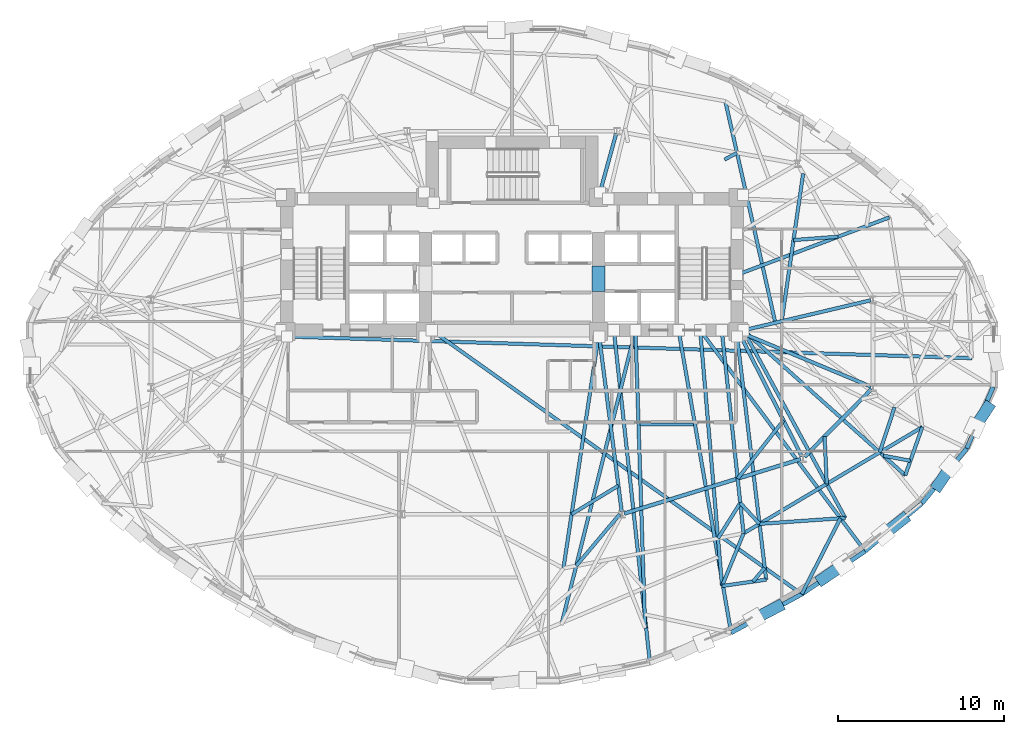
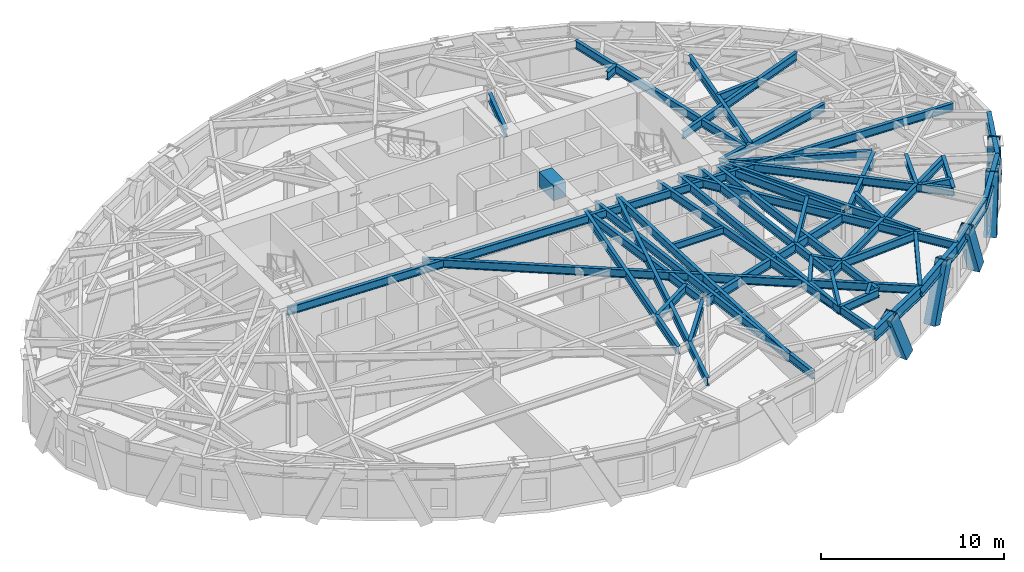
# One storey, part 3 of 14: 47 beams, 5 members.
"""IFC4 building model written with IfcOpenShell, lengths in metres."""

import ifcopenshell
import ifcopenshell.guid

model = None  # the IFC model being written
_history = None  # IfcOwnerHistory: only IFC2X3 demands one
_inside = {}  # id of a spatial element -> (the spatial element, [elements in it])
_under = {}  # id of a project, library or spatial element -> (it, [spatial elements below it])
_declared = {}  # id of a project -> (the project, [libraries it declares])
_typed = {}  # id of a type object -> (the type object, [elements of that type])
_made_of = {}  # id of a material, layer set ... -> (it, [elements and type objects made of it])


def new_model(schema):
    """Start an empty IFC model of exactly this schema.

    Asked for "IFC4X3", IfcOpenShell would pick the latest addendum, in which some entities
    have other attributes; the version numbers below select the first issue.
    IFC2X3 requires an IfcOwnerHistory on every rooted entity: one is made here for all.
    """
    global model, _history
    if schema == "IFC4X3":
        model = ifcopenshell.file(schema_version=(4, 3, 0, 0))
    else:
        model = ifcopenshell.file(schema=schema)
    _inside.clear()
    _under.clear()
    _declared.clear()
    _typed.clear()
    _made_of.clear()
    _history = None
    if model.schema == "IFC2X3":
        org = make("IfcOrganization", Name="unknown")
        user = make(
            "IfcPersonAndOrganization",
            ThePerson=make("IfcPerson", FamilyName="unknown"),
            TheOrganization=org,
        )
        app = make(
            "IfcApplication",
            ApplicationDeveloper=org,
            Version="unknown",
            ApplicationFullName="unknown",
            ApplicationIdentifier="unknown",
        )
        _history = make(
            "IfcOwnerHistory",
            OwningUser=user,
            OwningApplication=app,
            ChangeAction="ADDED",
            CreationDate=0,
        )
    return model


def make(cls, **values):
    """One entity of the class cls with the attributes given. An attribute that is None is left unset."""
    return model.create_entity(
        cls, **{name: value for name, value in values.items() if value is not None}
    )


def rooted(cls, **values):
    """An entity with a GlobalId (a new one), such as an element, a storey or a relation."""
    return make(cls, GlobalId=ifcopenshell.guid.new(), OwnerHistory=_history, **values)


def si_unit(unit_type, name, prefix=None):
    """IfcSIUnit, for example si_unit("LENGTHUNIT", "METRE", prefix="MILLI")."""
    return make("IfcSIUnit", UnitType=unit_type, Prefix=prefix, Name=name)


def assignment(units):
    """IfcUnitAssignment: the units of a project."""
    return None if units is None else make("IfcUnitAssignment", Units=units)


def point(xyz):
    """IfcCartesianPoint."""
    return None if xyz is None else make("IfcCartesianPoint", Coordinates=xyz)


def direction(xyz):
    """IfcDirection."""
    return None if xyz is None else make("IfcDirection", DirectionRatios=xyz)


def frame(location, z_axis=None, x_axis=None):
    """IfcAxis2Placement3D, a coordinate frame: its origin and axes. An axis left out is left unset."""
    return make(
        "IfcAxis2Placement3D",
        Location=point(location),
        Axis=direction(z_axis),
        RefDirection=direction(x_axis),
    )


def frame_2d(location, x_axis=None):
    """IfcAxis2Placement2D, a coordinate frame in the plane: its origin and x axis."""
    return make(
        "IfcAxis2Placement2D", Location=point(location), RefDirection=direction(x_axis)
    )


def origin():
    """The frame at (0, 0, 0) with its axes left unset."""
    return frame((0.0, 0.0, 0.0))


def origin_2d():
    """The frame at (0, 0) in the plane with its x axis left unset."""
    return frame_2d((0.0, 0.0))


def place(relative_to, where):
    """IfcLocalPlacement: puts the frame where relative to a parent placement (None: the world)."""
    return make(
        "IfcLocalPlacement", PlacementRelTo=relative_to, RelativePlacement=where
    )


def context(
    kind, dimensions, precision=None, world=None, true_north=None, identifier=None
):
    """IfcGeometricRepresentationContext, for example the 3D "Model" context."""
    return make(
        "IfcGeometricRepresentationContext",
        ContextIdentifier=identifier,
        ContextType=kind,
        CoordinateSpaceDimension=dimensions,
        Precision=precision,
        WorldCoordinateSystem=world,
        TrueNorth=true_north,
    )


def subcontext(parent, identifier, kind, view, scale=None):
    """IfcGeometricRepresentationSubContext, for example "Body" below "Model"."""
    return make(
        "IfcGeometricRepresentationSubContext",
        ContextIdentifier=identifier,
        ContextType=kind,
        ParentContext=parent,
        TargetScale=scale,
        TargetView=view,
    )


def project(units=None, contexts=None):
    """IfcProject with its units and contexts."""
    return rooted(
        "IfcProject",
        Name="project",
        RepresentationContexts=contexts,
        UnitsInContext=assignment(units),
    )


def spatial(cls, under=None, at=None, **own):
    """A site, building, storey or space (cls), placed at a placement, below another one or the project."""
    s = rooted(cls, ObjectPlacement=at, **own)
    if under is not None:
        _under.setdefault(under.id(), (under, []))[1].append(s)
    return s


def profile(cls, at=None, kind="AREA", **sizes):
    """A parametric profile (cls). Its sizes go by their IFC names, for example OverallWidth=200.0."""
    return make(cls, ProfileType=kind, Position=at, **sizes)


def rectangle(**sizes):
    """IfcRectangleProfileDef."""
    return profile("IfcRectangleProfileDef", **sizes)


def hollow_rectangle(**sizes):
    """IfcRectangleHollowProfileDef."""
    return profile("IfcRectangleHollowProfileDef", **sizes)


def i_section(**sizes):
    """IfcIShapeProfileDef."""
    return profile("IfcIShapeProfileDef", **sizes)


def extrude(swept, where, along, depth):
    """IfcExtrudedAreaSolid: the profile swept, set in the frame where, extruded along a direction by depth."""
    return make(
        "IfcExtrudedAreaSolid",
        SweptArea=swept,
        Position=where,
        ExtrudedDirection=direction(along),
        Depth=depth,
    )


def shape(context_of_items, identifier, shape_type, items):
    """IfcShapeRepresentation: the items that make up one representation, for example the "Body"."""
    return make(
        "IfcShapeRepresentation",
        ContextOfItems=context_of_items,
        RepresentationIdentifier=identifier,
        RepresentationType=shape_type,
        Items=items,
    )


def material(Name=None, Category=None):
    """IfcMaterial."""
    return make("IfcMaterial", Name=Name, Category=Category)


def material_profile(
    of_material, cross_section, Name=None, Category=None, Priority=None
):
    """IfcMaterialProfile: a cross section and its material."""
    return make(
        "IfcMaterialProfile",
        Name=Name,
        Material=of_material,
        Profile=cross_section,
        Priority=Priority,
        Category=Category,
    )


def profile_set(profiles, Name=None, composite=None):
    """IfcMaterialProfileSet."""
    return make(
        "IfcMaterialProfileSet",
        Name=Name,
        MaterialProfiles=profiles,
        CompositeProfile=composite,
    )


def made_of(thing, what):
    """Note that an element or type object is made of a material, layer set ...; save() writes the relation."""
    if what is not None:
        _made_of.setdefault(what.id(), (what, []))[1].append(thing)
    return thing


def type_object(cls, material=None, **own):
    """A type object (cls), such as IfcWallType, which elements share."""
    return made_of(rooted(cls, **own), material)


def element(
    cls,
    number,
    at=None,
    inside=None,
    cuts=None,
    type_object=None,
    material=None,
    context=None,
    identifier="Body",
    shape_type=None,
    held_by="IfcProductDefinitionShape",
    body=None,
    shapes=None,
    **own,
):
    """One element of the class cls, such as IfcWall. Its Tag is "e" and its number.

    at: its placement. inside: the storey or other place that contains it. cuts: it is an
    opening in that element (IfcRelVoidsElement). A single representation is given by context,
    identifier, shape_type and body (its items); several are given by shapes. held_by: the class
    of the entity that holds the representations. save() writes the other relations.
    """
    e = rooted(cls, Tag="e%d" % number, ObjectPlacement=at, **own)
    if body is not None:
        shapes = [shape(context, identifier, shape_type, body)]
    if shapes is not None:
        e.Representation = make(held_by, Representations=shapes)
    if inside is not None:
        _inside.setdefault(inside.id(), (inside, []))[1].append(e)
    if cuts is not None:
        rooted(
            "IfcRelVoidsElement", RelatingBuildingElement=cuts, RelatedOpeningElement=e
        )
    if type_object is not None:
        _typed.setdefault(type_object.id(), (type_object, []))[1].append(e)
    return made_of(e, material)


def aggregate(whole, parts):
    """IfcRelAggregates: a whole, such as a stair, and the parts it consists of."""
    return rooted("IfcRelAggregates", RelatingObject=whole, RelatedObjects=parts)


def save(model, path):
    """Write the relations noted so far, then the file.

    IfcRelAggregates (storeys below a building ...), IfcRelContainedInSpatialStructure (elements
    in a storey), IfcRelDefinesByType, IfcRelAssociatesMaterial and IfcRelDeclares: one each for
    every whole, place, type object, material and project.
    """
    for whole, parts in _under.values():
        aggregate(whole, parts)
    for where, things in _inside.values():
        rooted(
            "IfcRelContainedInSpatialStructure",
            RelatedElements=things,
            RelatingStructure=where,
        )
    for kind, things in _typed.values():
        rooted("IfcRelDefinesByType", RelatedObjects=things, RelatingType=kind)
    for what, things in _made_of.values():
        rooted("IfcRelAssociatesMaterial", RelatedObjects=things, RelatingMaterial=what)
    for by, libraries in _declared.values():
        rooted("IfcRelDeclares", RelatingContext=by, RelatedDefinitions=libraries)
    model.write(path)


model = new_model("IFC4")

# Units and contexts
model_context = context("Model", 3, precision=1e-05, world=origin(), true_north=direction((0.0, 1.0)))
body_context = subcontext(model_context, "Body", "Model", "MODEL_VIEW")
ifc_project = project(units=[si_unit("LENGTHUNIT", "METRE"), si_unit("AREAUNIT", "SQUARE_METRE"), si_unit("VOLUMEUNIT", "CUBIC_METRE"), si_unit("PLANEANGLEUNIT", "RADIAN"), si_unit("MASSUNIT", "GRAM", prefix="KILO")], contexts=[model_context])

# Site, building, storey
site_placement = place(None, origin())
site = spatial("IfcSite", under=ifc_project, at=site_placement, CompositionType="ELEMENT")
building_placement = place(site_placement, origin())
building = spatial("IfcBuilding", under=site, at=building_placement, Name="Keldmark Tower", CompositionType="ELEMENT")
storey_placement = place(building_placement, frame((0.0, 0.0, 86.10009765625)))
storey = spatial("IfcBuildingStorey", under=building, at=storey_placement, Name="L22", CompositionType="ELEMENT", Elevation=86.10009765625)

# Beams
ifc_material_1 = material(Name="Steel ASTM A992 Grade 50", Category="steel")
ifc_material_profile_1 = material_profile(ifc_material_1, i_section(OverallWidth=0.19091796875, OverallDepth=0.45703125, WebThickness=0.009033203125, FlangeThickness=0.014404296875, at=origin_2d()), Name="W18X50")
ifc_profile_set_1 = profile_set([ifc_material_profile_1], Name="Steel ASTM A992 Grade 50")
beam_type_1 = type_object("IfcBeamType", Name="Composite Floor Joist W18X50", PredefinedType="JOIST", material=ifc_profile_set_1)
beam_1_placement = place(storey_placement, frame((7.697998046875, -4.179931640625, 3.081298828125), z_axis=(1.0, 0.0, 0.0), x_axis=(0.0, 1.0, 0.0)))
element("IfcBeam", 1, at=beam_1_placement, inside=storey, type_object=beam_type_1, Name="L22 Composite Floor Joist J05", PredefinedType="JOIST", context=body_context, shape_type="SweptSolid", body=[
    extrude(i_section(OverallWidth=0.19091796875, OverallDepth=0.45703125, WebThickness=0.009033203125, FlangeThickness=0.014404296875, at=origin_2d()), origin(), (0.0, 0.0, 1.0), 3.197509765625),
])
ifc_material_2 = material(Name="Concrete C70/85", Category="concrete")
ifc_material_profile_2 = material_profile(ifc_material_2, rectangle(XDim=0.800048828125, YDim=1.0, at=origin_2d()), Name="RCB800X1000")
ifc_profile_set_2 = profile_set([ifc_material_profile_2], Name="Concrete C70/85")
beam_type_2 = type_object("IfcBeamType", Name="Core Coupling Beam RCB800X1000", PredefinedType="USERDEFINED", material=ifc_profile_set_2)
beam_2_placement = place(storey_placement, frame((5.199951171875, 3.800048828125, 2.809814453125), z_axis=(0.0, 1.0, 0.0), x_axis=(-1.0, 0.0, 0.0)))
element("IfcBeam", 2, at=beam_2_placement, inside=storey, type_object=beam_type_2, Name="L22 East Core Coupling Beam", ObjectType="COUPLING BEAM", PredefinedType="USERDEFINED", context=body_context, shape_type="SweptSolid", body=[
    extrude(rectangle(XDim=0.800048828125, YDim=1.0, at=origin_2d()), origin(), (0.0, 0.0, 1.0), 1.550048828125),
])

# Members
ifc_material_3 = material(Name="Steel ASTM A572 Grade 50", Category="steel")
ifc_material_profile_3 = material_profile(ifc_material_3, hollow_rectangle(XDim=0.699951171875, YDim=0.699951171875, WallThickness=0.054931640625, at=origin_2d()), Name="BOX700X700X55")
ifc_profile_set_3 = profile_set([ifc_material_profile_3], Name="Steel ASTM A572 Grade 50")
member_type = type_object("IfcMemberType", Name="Diagrid Zone 1 Brace BOX700X700X55", PredefinedType="BRACE", material=ifc_profile_set_3)
member_1_placement = place(storey_placement, frame((15.98583984375, -15.12109375, -0.27001953125), z_axis=(-0.375086533745, -0.19668392371, 0.905883837121), x_axis=(0.464396078471, -0.885627620561, 0.0)))
element("IfcMember", 3, at=member_1_placement, inside=storey, type_object=member_type, Name="L22 Perimeter Diagrid Brace 14A", PredefinedType="BRACE", context=body_context, shape_type="SweptSolid", body=[
    extrude(hollow_rectangle(XDim=0.699951171875, YDim=0.699951171875, WallThickness=0.054931640625, at=origin_2d()), origin(), (0.0, 0.0, 1.0), 3.8193359375),
])
member_2_placement = place(storey_placement, frame((18.644775390625, -13.476806640625, -0.27001953125), z_axis=(0.33379253059, 0.228078654893, 0.914638001454), x_axis=(-0.564168739823, 0.825659513968, 0.0)))
element("IfcMember", 4, at=member_2_placement, inside=storey, type_object=member_type, Name="L22 Perimeter Diagrid Brace 14B", PredefinedType="BRACE", context=body_context, shape_type="SweptSolid", body=[
    extrude(hollow_rectangle(XDim=0.699951171875, YDim=0.699951171875, WallThickness=0.054931640625, at=origin_2d()), origin(), (0.0, 0.0, 1.0), 3.782958984375),
])
member_3_placement = place(storey_placement, frame((23.507080078125, -9.8671875, -0.27001953125), z_axis=(-0.317322312779, -0.247889891399, 0.915345372827), x_axis=(0.615616027477, -0.788046259248, 0.0)))
element("IfcMember", 5, at=member_3_placement, inside=storey, type_object=member_type, Name="L22 Perimeter Diagrid Brace 15A", PredefinedType="BRACE", context=body_context, shape_type="SweptSolid", body=[
    extrude(hollow_rectangle(XDim=0.699951171875, YDim=0.699951171875, WallThickness=0.054931640625, at=origin_2d()), origin(), (0.0, 0.0, 1.0), 3.780029296875),
])
member_4_placement = place(storey_placement, frame((25.6044921875, -7.829345703125, -0.27001953125), z_axis=(0.207872561908, 0.305185773855, 0.929328059106), x_axis=(-0.826490251962, 0.562951031096, 0.0)))
element("IfcMember", 6, at=member_4_placement, inside=storey, type_object=member_type, Name="L22 Perimeter Diagrid Brace 15B", PredefinedType="BRACE", context=body_context, shape_type="SweptSolid", body=[
    extrude(hollow_rectangle(XDim=0.699951171875, YDim=0.699951171875, WallThickness=0.054931640625, at=origin_2d()), origin(), (0.0, 0.0, 1.0), 3.72314453125),
])
member_5_placement = place(storey_placement, frame((28.591552734375, -3.16943359375, -0.27001953125), z_axis=(-0.211574579033, -0.320944566162, 0.923163464917), x_axis=(0.834906882292, -0.550391222587, 0.0)))
element("IfcMember", 7, at=member_5_placement, inside=storey, type_object=member_type, Name="L22 Perimeter Diagrid Brace 16A", PredefinedType="BRACE", context=body_context, shape_type="SweptSolid", body=[
    extrude(hollow_rectangle(XDim=0.699951171875, YDim=0.699951171875, WallThickness=0.054931640625, at=origin_2d()), origin(), (0.0, 0.0, 1.0), 3.748046875),
])

# Beams
ifc_material_4 = material(Name="Steel ASTM A992 Grade 50", Category="steel")
ifc_material_profile_4 = material_profile(ifc_material_4, i_section(OverallWidth=0.22900390625, OverallDepth=0.612060546875, WebThickness=0.011962890625, FlangeThickness=0.01953125, at=origin_2d()), Name="W24X84")
ifc_profile_set_4 = profile_set([ifc_material_profile_4], Name="Steel ASTM A992 Grade 50")
beam_type_3 = type_object("IfcBeamType", Name="Primary Floor Girder W24X84", PredefinedType="BEAM", material=ifc_profile_set_4)
beam_3_placement = place(storey_placement, frame((6.74658203125, -9.5380859375, 3.00390625), z_axis=(0.955607954968, 0.294641199432, 0.0), x_axis=(-0.294641199432, 0.955607954968, 0.0)))
element("IfcBeam", 8, at=beam_3_placement, inside=storey, type_object=beam_type_3, Name="L22 Floor Ring Girder FG-R10", PredefinedType="BEAM", context=body_context, shape_type="SweptSolid", body=[
    extrude(i_section(OverallWidth=0.22900390625, OverallDepth=0.612060546875, WebThickness=0.011962890625, FlangeThickness=0.01953125, at=origin_2d()), origin(), (0.0, 0.0, 1.0), 11.089111328125),
])
beam_4_placement = place(storey_placement, frame((17.57568359375, -6.130126953125, 3.00390625), z_axis=(0.703425791323, 0.71076870788, 0.0), x_axis=(-0.71076870788, 0.703425791323, 0.0)))
element("IfcBeam", 9, at=beam_4_placement, inside=storey, type_object=beam_type_3, Name="L22 Floor Ring Girder FG-R11", PredefinedType="BEAM", context=body_context, shape_type="SweptSolid", body=[
    extrude(i_section(OverallWidth=0.22900390625, OverallDepth=0.612060546875, WebThickness=0.011962890625, FlangeThickness=0.01953125, at=origin_2d()), origin(), (0.0, 0.0, 1.0), 5.71875),
])
ifc_material_5 = material(Name="Steel ASTM A992 Grade 50", Category="steel")
ifc_material_profile_5 = material_profile(ifc_material_5, i_section(OverallWidth=0.2099609375, OverallDepth=0.537109375, WebThickness=0.010986328125, FlangeThickness=0.017333984375, at=origin_2d()), Name="W21X68")
ifc_profile_set_5 = profile_set([ifc_material_profile_5], Name="Steel ASTM A992 Grade 50")
beam_type_4 = type_object("IfcBeamType", Name="Radial Tie Girder W21X68", PredefinedType="BEAM", material=ifc_profile_set_5)
beam_5_placement = place(storey_placement, frame((16.206298828125, 2.014892578125, 3.04150390625), z_axis=(0.14365864997, 0.989627299689, 0.0), x_axis=(-0.989627299689, 0.14365864997, 0.0)))
element("IfcBeam", 10, at=beam_5_placement, inside=storey, type_object=beam_type_4, Name="L22 Framing Pin Header PH-001", PredefinedType="BEAM", context=body_context, shape_type="SweptSolid", body=[
    extrude(i_section(OverallWidth=0.2099609375, OverallDepth=0.537109375, WebThickness=0.010986328125, FlangeThickness=0.017333984375, at=origin_2d()), origin(), (0.0, 0.0, 1.0), 8.96630859375),
])
beam_6_placement = place(storey_placement, frame((16.914794921875, 6.89501953125, 3.04150390625), z_axis=(0.997192706221, 0.074877945083, 0.0), x_axis=(-0.074877945083, 0.997192706221, 0.0)))
element("IfcBeam", 11, at=beam_6_placement, inside=storey, type_object=beam_type_4, Name="L22 Framing Pin Header PH-004", PredefinedType="BEAM", context=body_context, shape_type="SweptSolid", body=[
    extrude(i_section(OverallWidth=0.2099609375, OverallDepth=0.537109375, WebThickness=0.010986328125, FlangeThickness=0.017333984375, at=origin_2d()), origin(), (0.0, 0.0, 1.0), 2.68994140625),
])
beam_7_placement = place(storey_placement, frame((13.52490234375, 4.80712890625, 3.04150390625), z_axis=(0.935713911675, 0.352759798585, 0.0), x_axis=(-0.352759798585, 0.935713911675, 0.0)))
element("IfcBeam", 12, at=beam_7_placement, inside=storey, type_object=beam_type_4, Name="L22 Sub-Ring Step Girder STP2-M01", PredefinedType="BEAM", context=body_context, shape_type="SweptSolid", body=[
    extrude(i_section(OverallWidth=0.2099609375, OverallDepth=0.537109375, WebThickness=0.010986328125, FlangeThickness=0.017333984375, at=origin_2d()), origin(), (0.0, 0.0, 1.0), 9.7744140625),
])
beam_8_placement = place(storey_placement, frame((12.768798828125, 11.72998046875, 3.04150390625), z_axis=(0.880379121568, 0.474270600298, 0.0), x_axis=(-0.474270600298, 0.880379121568, 0.0)))
element("IfcBeam", 13, at=beam_8_placement, inside=storey, type_object=beam_type_4, Name="L22 Framing Pin Header PH-005", PredefinedType="BEAM", context=body_context, shape_type="SweptSolid", body=[
    extrude(i_section(OverallWidth=0.2099609375, OverallDepth=0.537109375, WebThickness=0.010986328125, FlangeThickness=0.017333984375, at=origin_2d()), origin(), (0.0, 0.0, 1.0), 0.8525390625),
])
beam_9_placement = place(storey_placement, frame((15.82373046875, 1.924560546875, 3.04150390625), z_axis=(-0.220174112178, 0.975460588813, 0.0), x_axis=(-0.975460588813, -0.220174112178, 0.0)))
element("IfcBeam", 14, at=beam_9_placement, inside=storey, type_object=beam_type_4, Name="L22 Sub-Ring Step Girder STP2-M02", PredefinedType="BEAM", context=body_context, shape_type="SweptSolid", body=[
    extrude(i_section(OverallWidth=0.2099609375, OverallDepth=0.537109375, WebThickness=0.010986328125, FlangeThickness=0.017333984375, at=origin_2d()), origin(), (0.0, 0.0, 1.0), 13.646728515625),
])
beam_10_placement = place(storey_placement, frame((6.391845703125, -7.862060546875, 3.04150390625), z_axis=(-0.853237844646, -0.52152198464, 0.0), x_axis=(0.52152198464, -0.853237844646, 0.0)))
element("IfcBeam", 15, at=beam_10_placement, inside=storey, type_object=beam_type_4, Name="L22 Framing Pin Header PH-007", PredefinedType="BEAM", context=body_context, shape_type="SweptSolid", body=[
    extrude(i_section(OverallWidth=0.2099609375, OverallDepth=0.537109375, WebThickness=0.010986328125, FlangeThickness=0.017333984375, at=origin_2d()), origin(), (0.0, 0.0, 1.0), 3.292724609375),
])
beam_11_placement = place(storey_placement, frame((5.199951171875, 1.10009765625, 3.04150390625), z_axis=(-0.149776632113, -0.988719859451, 0.0), x_axis=(0.988719859451, -0.149776632113, 0.0)))
element("IfcBeam", 16, at=beam_11_placement, inside=storey, type_object=beam_type_4, Name="L22 Sub-Ring Step Girder STP2-M10", PredefinedType="BEAM", context=body_context, shape_type="SweptSolid", body=[
    extrude(i_section(OverallWidth=0.2099609375, OverallDepth=0.537109375, WebThickness=0.010986328125, FlangeThickness=0.017333984375, at=origin_2d()), origin(), (0.0, 0.0, 1.0), 14.08837890625),
])
beam_12_placement = place(storey_placement, frame((16.313232421875, -3.93896484375, 3.04150390625), z_axis=(-0.618557445546, -0.785739579352, 0.0), x_axis=(0.785739579352, -0.618557445546, 0.0)))
element("IfcBeam", 17, at=beam_12_placement, inside=storey, type_object=beam_type_4, Name="L22 Framing Pin Header PH-008", PredefinedType="BEAM", context=body_context, shape_type="SweptSolid", body=[
    extrude(i_section(OverallWidth=0.2099609375, OverallDepth=0.537109375, WebThickness=0.010986328125, FlangeThickness=0.017333984375, at=origin_2d()), origin(), (0.0, 0.0, 1.0), 4.45263671875),
])
beam_13_placement = place(storey_placement, frame((12.603515625, 1.47509765625, 3.04150390625), z_axis=(0.106608267401, -0.99430109993, 0.0), x_axis=(0.99430109993, 0.106608267401, 0.0)))
element("IfcBeam", 18, at=beam_13_placement, inside=storey, type_object=beam_type_4, Name="L22 Sub-Ring Step Girder STP2-M11", PredefinedType="BEAM", context=body_context, shape_type="SweptSolid", body=[
    extrude(i_section(OverallWidth=0.2099609375, OverallDepth=0.537109375, WebThickness=0.010986328125, FlangeThickness=0.017333984375, at=origin_2d()), origin(), (0.0, 0.0, 1.0), 12.27490234375),
])
beam_14_placement = place(storey_placement, frame((13.912109375, -10.729736328125, 3.04150390625), z_axis=(0.859451461743, 0.511217355835, 0.0), x_axis=(-0.511217355835, 0.859451461743, 0.0)))
element("IfcBeam", 19, at=beam_14_placement, inside=storey, type_object=beam_type_4, Name="L22 Perimeter Collector Ring Beam CRG2-M11", PredefinedType="BEAM", context=body_context, shape_type="SweptSolid", body=[
    extrude(i_section(OverallWidth=0.2099609375, OverallDepth=0.537109375, WebThickness=0.010986328125, FlangeThickness=0.017333984375, at=origin_2d()), origin(), (0.0, 0.0, 1.0), 12.498779296875),
])
beam_15_placement = place(storey_placement, frame((6.472900390625, -9.579345703125, 3.04150390625), z_axis=(-0.644754487848, -0.764389724159, 0.0), x_axis=(0.764389724159, -0.644754487848, 0.0)))
element("IfcBeam", 20, at=beam_15_placement, inside=storey, type_object=beam_type_4, Name="L22 Framing Pin Header PH-029", PredefinedType="BEAM", context=body_context, shape_type="SweptSolid", body=[
    extrude(i_section(OverallWidth=0.2099609375, OverallDepth=0.537109375, WebThickness=0.010986328125, FlangeThickness=0.017333984375, at=origin_2d()), origin(), (0.0, 0.0, 1.0), 4.056884765625),
])
beam_16_placement = place(storey_placement, frame((7.41796875, 1.47509765625, 3.04150390625), z_axis=(-0.243955832489, -0.969786343374, 0.0), x_axis=(0.969786343374, -0.243955832489, 0.0)))
element("IfcBeam", 21, at=beam_16_placement, inside=storey, type_object=beam_type_4, Name="L22 Intermediate Radial Step Girder RT-25M", PredefinedType="BEAM", context=body_context, shape_type="SweptSolid", body=[
    extrude(i_section(OverallWidth=0.2099609375, OverallDepth=0.537109375, WebThickness=0.010986328125, FlangeThickness=0.017333984375, at=origin_2d()), origin(), (0.0, 0.0, 1.0), 18.23876953125),
])
beam_17_placement = place(storey_placement, frame((13.7158203125, -8.89892578125, 3.04150390625), z_axis=(-0.532249104401, -0.846587792769, 0.0), x_axis=(0.846587792769, -0.532249104401, 0.0)))
element("IfcBeam", 22, at=beam_17_placement, inside=storey, type_object=beam_type_4, Name="L22 Framing Pin Header PH-030", PredefinedType="BEAM", context=body_context, shape_type="SweptSolid", body=[
    extrude(i_section(OverallWidth=0.2099609375, OverallDepth=0.537109375, WebThickness=0.010986328125, FlangeThickness=0.017333984375, at=origin_2d()), origin(), (0.0, 0.0, 1.0), 2.51416015625),
])
beam_18_placement = place(storey_placement, frame((11.30712890625, 1.47509765625, 3.04150390625), z_axis=(0.085320775145, -0.996353534308, 0.0), x_axis=(0.996353534308, 0.085320775145, 0.0)))
element("IfcBeam", 23, at=beam_18_placement, inside=storey, type_object=beam_type_4, Name="L22 Intermediate Radial Step Girder RT-27M", PredefinedType="BEAM", context=body_context, shape_type="SweptSolid", body=[
    extrude(i_section(OverallWidth=0.2099609375, OverallDepth=0.537109375, WebThickness=0.010986328125, FlangeThickness=0.017333984375, at=origin_2d()), origin(), (0.0, 0.0, 1.0), 15.423095703125),
])
beam_19_placement = place(storey_placement, frame((13.912109375, -10.729736328125, 3.04150390625), z_axis=(-0.377496729738, -0.926010917342, 0.0), x_axis=(0.926010917342, -0.377496729738, 0.0)))
element("IfcBeam", 24, at=beam_19_placement, inside=storey, type_object=beam_type_4, Name="L22 Local Collector Chord RT-27C", PredefinedType="BEAM", context=body_context, shape_type="SweptSolid", body=[
    extrude(i_section(OverallWidth=0.2099609375, OverallDepth=0.537109375, WebThickness=0.010986328125, FlangeThickness=0.017333984375, at=origin_2d()), origin(), (0.0, 0.0, 1.0), 3.414794921875),
])
beam_20_placement = place(storey_placement, frame((10.0107421875, 1.47509765625, 3.04150390625), z_axis=(0.17113896689, -0.985246900027, 0.0), x_axis=(0.985246900027, 0.17113896689, 0.0)))
element("IfcBeam", 25, at=beam_20_placement, inside=storey, type_object=beam_type_4, Name="L22 Perimeter Radial Tie Girder RT-27", PredefinedType="BEAM", context=body_context, shape_type="SweptSolid", body=[
    extrude(i_section(OverallWidth=0.2099609375, OverallDepth=0.537109375, WebThickness=0.010986328125, FlangeThickness=0.017333984375, at=origin_2d()), origin(), (0.0, 0.0, 1.0), 18.445556640625),
])
beam_21_placement = place(storey_placement, frame((13.7158203125, -8.89892578125, 3.04150390625), z_axis=(0.675963832109, -0.736934798799, 0.0), x_axis=(0.736934798799, 0.675963832109, 0.0)))
element("IfcBeam", 26, at=beam_21_placement, inside=storey, type_object=beam_type_4, Name="L22 Framing Pin Header PH-031", PredefinedType="BEAM", context=body_context, shape_type="SweptSolid", body=[
    extrude(i_section(OverallWidth=0.2099609375, OverallDepth=0.537109375, WebThickness=0.010986328125, FlangeThickness=0.017333984375, at=origin_2d()), origin(), (0.0, 0.0, 1.0), 1.709716796875),
])
beam_22_placement = place(storey_placement, frame((13.52490234375, 1.10009765625, 3.04150390625), z_axis=(0.118765688375, -0.992922308776, 0.0), x_axis=(0.992922308776, 0.118765688375, 0.0)))
element("IfcBeam", 27, at=beam_22_placement, inside=storey, type_object=beam_type_4, Name="L22 Intermediate Radial Step Girder RT-28M", PredefinedType="BEAM", context=body_context, shape_type="SweptSolid", body=[
    extrude(i_section(OverallWidth=0.2099609375, OverallDepth=0.537109375, WebThickness=0.010986328125, FlangeThickness=0.017333984375, at=origin_2d()), origin(), (0.0, 0.0, 1.0), 14.71240234375),
])
beam_23_placement = place(storey_placement, frame((12.623046875, -13.891845703125, 3.04150390625), z_axis=(0.989668477823, 0.143374697921, 0.0), x_axis=(-0.143374697921, 0.989668477823, 0.0)))
element("IfcBeam", 28, at=beam_23_placement, inside=storey, type_object=beam_type_4, Name="L22 Local Collector Chord RT-28C", PredefinedType="BEAM", context=body_context, shape_type="SweptSolid", body=[
    extrude(i_section(OverallWidth=0.2099609375, OverallDepth=0.537109375, WebThickness=0.010986328125, FlangeThickness=0.017333984375, at=origin_2d()), origin(), (0.0, 0.0, 1.0), 2.6767578125),
])
beam_24_placement = place(storey_placement, frame((14.4775390625, -13.623291015625, 3.04150390625), z_axis=(0.650146060975, 0.759809251983, 0.0), x_axis=(-0.759809251983, 0.650146060975, 0.0)))
element("IfcBeam", 29, at=beam_24_placement, inside=storey, type_object=beam_type_4, Name="L22 Framing Pin Header PH-032", PredefinedType="BEAM", context=body_context, shape_type="SweptSolid", body=[
    extrude(i_section(OverallWidth=0.2099609375, OverallDepth=0.537109375, WebThickness=0.010986328125, FlangeThickness=0.017333984375, at=origin_2d()), origin(), (0.0, 0.0, 1.0), 1.0908203125),
])
beam_25_placement = place(storey_placement, frame((-4.824951171875, 1.47509765625, 3.04150390625), z_axis=(0.814207391441, -0.58057413284, 0.0), x_axis=(0.58057413284, 0.814207391441, 0.0)))
element("IfcBeam", 30, at=beam_25_placement, inside=storey, type_object=beam_type_4, Name="L22 Perimeter Radial Tie Girder RT-28", PredefinedType="BEAM", context=body_context, shape_type="SweptSolid", body=[
    extrude(i_section(OverallWidth=0.2099609375, OverallDepth=0.537109375, WebThickness=0.010986328125, FlangeThickness=0.017333984375, at=origin_2d()), origin(), (0.0, 0.0, 1.0), 27.308349609375),
])
beam_26_placement = place(storey_placement, frame((18.78271484375, -4.91064453125, 3.04150390625), z_axis=(0.045784911634, -0.99895132107, 0.0), x_axis=(0.99895132107, 0.045784911634, 0.0)))
element("IfcBeam", 31, at=beam_26_placement, inside=storey, type_object=beam_type_4, Name="L22 Framing Pin Header PH-033", PredefinedType="BEAM", context=body_context, shape_type="SweptSolid", body=[
    extrude(i_section(OverallWidth=0.2099609375, OverallDepth=0.537109375, WebThickness=0.010986328125, FlangeThickness=0.017333984375, at=origin_2d()), origin(), (0.0, 0.0, 1.0), 2.847412109375),
])
beam_27_placement = place(storey_placement, frame((13.89990234375, 1.47509765625, 3.04150390625), z_axis=(0.47726105852, -0.878761561528, 0.0), x_axis=(0.878761561528, 0.47726105852, 0.0)))
element("IfcBeam", 32, at=beam_27_placement, inside=storey, type_object=beam_type_4, Name="L22 Intermediate Radial Step Girder RT-29M", PredefinedType="BEAM", context=body_context, shape_type="SweptSolid", body=[
    extrude(i_section(OverallWidth=0.2099609375, OverallDepth=0.537109375, WebThickness=0.010986328125, FlangeThickness=0.017333984375, at=origin_2d()), origin(), (0.0, 0.0, 1.0), 12.83203125),
])
beam_28_placement = place(storey_placement, frame((14.87158203125, -10.158935546875, 3.04150390625), z_axis=(0.997599462268, 0.069248197689, 0.0), x_axis=(-0.069248197689, 0.997599462268, 0.0)))
element("IfcBeam", 33, at=beam_28_placement, inside=storey, type_object=beam_type_4, Name="L22 Local Collector Chord RT-29C", PredefinedType="BEAM", context=body_context, shape_type="SweptSolid", body=[
    extrude(i_section(OverallWidth=0.2099609375, OverallDepth=0.537109375, WebThickness=0.010986328125, FlangeThickness=0.017333984375, at=origin_2d()), origin(), (0.0, 0.0, 1.0), 5.1650390625),
])
beam_29_placement = place(storey_placement, frame((17.40966796875, -14.37939453125, 3.04150390625), z_axis=(0.454640284857, 0.890675143576, 0.0), x_axis=(-0.890675143576, 0.454640284857, 0.0)))
element("IfcBeam", 34, at=beam_29_placement, inside=storey, type_object=beam_type_4, Name="L22 Framing Pin Header PH-034", PredefinedType="BEAM", context=body_context, shape_type="SweptSolid", body=[
    extrude(i_section(OverallWidth=0.2099609375, OverallDepth=0.537109375, WebThickness=0.010986328125, FlangeThickness=0.017333984375, at=origin_2d()), origin(), (0.0, 0.0, 1.0), 5.11767578125),
])
beam_30_placement = place(storey_placement, frame((11.30712890625, 1.47509765625, 3.04150390625), z_axis=(0.59805036098, -0.801458524025, 0.0), x_axis=(0.801458524025, 0.59805036098, 0.0)))
element("IfcBeam", 35, at=beam_30_placement, inside=storey, type_object=beam_type_4, Name="L22 Perimeter Radial Tie Girder RT-29", PredefinedType="BEAM", context=body_context, shape_type="SweptSolid", body=[
    extrude(i_section(OverallWidth=0.2099609375, OverallDepth=0.537109375, WebThickness=0.010986328125, FlangeThickness=0.017333984375, at=origin_2d()), origin(), (0.0, 0.0, 1.0), 16.564697265625),
])
beam_31_placement = place(storey_placement, frame((22.98486328125, -3.1533203125, 3.04150390625), z_axis=(-0.311934681853, -0.950103549229, 0.0), x_axis=(0.950103549229, -0.311934681853, 0.0)))
element("IfcBeam", 36, at=beam_31_placement, inside=storey, type_object=beam_type_4, Name="L22 Framing Pin Header PH-035", PredefinedType="BEAM", context=body_context, shape_type="SweptSolid", body=[
    extrude(i_section(OverallWidth=0.2099609375, OverallDepth=0.537109375, WebThickness=0.010986328125, FlangeThickness=0.017333984375, at=origin_2d()), origin(), (0.0, 0.0, 1.0), 2.851318359375),
])
beam_32_placement = place(storey_placement, frame((13.89990234375, 1.47509765625, 3.04150390625), z_axis=(0.745043758635, -0.667015590312, 0.0), x_axis=(0.667015590312, 0.745043758635, 0.0)))
element("IfcBeam", 37, at=beam_32_placement, inside=storey, type_object=beam_type_4, Name="L22 Intermediate Radial Step Girder RT-30M", PredefinedType="BEAM", context=body_context, shape_type="SweptSolid", body=[
    extrude(i_section(OverallWidth=0.2099609375, OverallDepth=0.537109375, WebThickness=0.010986328125, FlangeThickness=0.017333984375, at=origin_2d()), origin(), (0.0, 0.0, 1.0), 13.06005859375),
])
beam_33_placement = place(storey_placement, frame((24.654296875, -4.340087890625, 3.04150390625), z_axis=(-0.333414554781, -0.942780321528, 0.0), x_axis=(0.942780321528, -0.333414554781, 0.0)))
element("IfcBeam", 38, at=beam_33_placement, inside=storey, type_object=beam_type_4, Name="L22 Local Collector Chord RT-30C", PredefinedType="BEAM", context=body_context, shape_type="SweptSolid", body=[
    extrude(i_section(OverallWidth=0.2099609375, OverallDepth=0.537109375, WebThickness=0.010986328125, FlangeThickness=0.017333984375, at=origin_2d()), origin(), (0.0, 0.0, 1.0), 3.07177734375),
])
beam_34_placement = place(storey_placement, frame((23.9375, -6.367431640625, 3.04150390625), z_axis=(-0.982582669562, 0.185825987086, 0.0), x_axis=(-0.185825987086, -0.982582669562, 0.0)))
element("IfcBeam", 39, at=beam_34_placement, inside=storey, type_object=beam_type_4, Name="L22 Framing Pin Header PH-036", PredefinedType="BEAM", context=body_context, shape_type="SweptSolid", body=[
    extrude(i_section(OverallWidth=0.2099609375, OverallDepth=0.537109375, WebThickness=0.010986328125, FlangeThickness=0.017333984375, at=origin_2d()), origin(), (0.0, 0.0, 1.0), 1.64892578125),
])
beam_35_placement = place(storey_placement, frame((-13.52490234375, 1.10009765625, 3.04150390625), z_axis=(0.99950032717, -0.031608479674, 0.0), x_axis=(0.031608479674, 0.99950032717, 0.0)))
element("IfcBeam", 40, at=beam_35_placement, inside=storey, type_object=beam_type_4, Name="L22 Intermediate Radial Step Girder RT-32M", PredefinedType="BEAM", context=body_context, shape_type="SweptSolid", body=[
    extrude(i_section(OverallWidth=0.2099609375, OverallDepth=0.537109375, WebThickness=0.010986328125, FlangeThickness=0.017333984375, at=origin_2d()), origin(), (0.0, 0.0, 1.0), 41.176025390625),
])
beam_36_placement = place(storey_placement, frame((7.41796875, 1.47509765625, 3.04150390625), z_axis=(0.032504582669, -0.999471586442, 0.0), x_axis=(0.999471586442, 0.032504582669, 0.0)))
element("IfcBeam", 41, at=beam_36_placement, inside=storey, type_object=beam_type_4, Name="L22 Crown Step Radial Girder RT-26RN1", PredefinedType="BEAM", context=body_context, shape_type="SweptSolid", body=[
    extrude(i_section(OverallWidth=0.2099609375, OverallDepth=0.537109375, WebThickness=0.010986328125, FlangeThickness=0.017333984375, at=origin_2d()), origin(), (0.0, 0.0, 1.0), 17.898681640625),
])
beam_37_placement = place(storey_placement, frame((6.121337890625, 1.47509765625, 3.04150390625), z_axis=(0.107815122269, -0.994170960856, 0.0), x_axis=(0.994170960856, 0.107815122269, 0.0)))
element("IfcBeam", 42, at=beam_37_placement, inside=storey, type_object=beam_type_4, Name="L22 Perimeter Radial Tie Girder RT-26R", PredefinedType="BEAM", context=body_context, shape_type="SweptSolid", body=[
    extrude(i_section(OverallWidth=0.2099609375, OverallDepth=0.537109375, WebThickness=0.010986328125, FlangeThickness=0.017333984375, at=origin_2d()), origin(), (0.0, 0.0, 1.0), 20.1171875),
])
ifc_material_6 = material(Name="Steel ASTM A992 Grade 50", Category="steel")
ifc_material_profile_6 = material_profile(ifc_material_6, i_section(OverallWidth=0.214111328125, OverallDepth=0.549072265625, WebThickness=0.0146484375, FlangeThickness=0.023681640625, at=origin_2d()), Name="W21X93")
ifc_profile_set_6 = profile_set([ifc_material_profile_6], Name="Steel ASTM A992 Grade 50")
beam_type_5 = type_object("IfcBeamType", Name="Radial Tie Girder W21X93", PredefinedType="BEAM", material=ifc_profile_set_6)
beam_38_placement = place(storey_placement, frame((21.560546875, 3.27783203125, 3.035400390625), z_axis=(-0.973283778272, -0.229605502879, 0.0), x_axis=(0.229605502879, -0.973283778272, 0.0)))
element("IfcBeam", 43, at=beam_38_placement, inside=storey, type_object=beam_type_5, Name="L22 Floor Radial Girder FG-C01", PredefinedType="BEAM", context=body_context, shape_type="SweptSolid", body=[
    extrude(i_section(OverallWidth=0.214111328125, OverallDepth=0.549072265625, WebThickness=0.0146484375, FlangeThickness=0.023681640625, at=origin_2d()), origin(), (0.0, 0.0, 1.0), 7.85888671875),
])
beam_39_placement = place(storey_placement, frame((6.26171875, 13.297607421875, 3.035400390625), z_axis=(-0.265997186795, -0.963973804944, 0.0), x_axis=(0.963973804944, -0.265997186795, 0.0)))
element("IfcBeam", 44, at=beam_39_placement, inside=storey, type_object=beam_type_5, Name="L22 Floor Radial Girder FG-C03", PredefinedType="BEAM", context=body_context, shape_type="SweptSolid", body=[
    extrude(i_section(OverallWidth=0.214111328125, OverallDepth=0.549072265625, WebThickness=0.0146484375, FlangeThickness=0.023681640625, at=origin_2d()), origin(), (0.0, 0.0, 1.0), 3.67138671875),
])
beam_40_placement = place(storey_placement, frame((6.594970703125, -9.4404296875, 3.035400390625), z_axis=(-0.127642040045, 0.991820301069, 0.0), x_axis=(-0.991820301069, -0.127642040045, 0.0)))
element("IfcBeam", 45, at=beam_40_placement, inside=storey, type_object=beam_type_5, Name="L22 Floor Radial Girder FG-C10", PredefinedType="BEAM", context=body_context, shape_type="SweptSolid", body=[
    extrude(i_section(OverallWidth=0.214111328125, OverallDepth=0.549072265625, WebThickness=0.0146484375, FlangeThickness=0.023681640625, at=origin_2d()), origin(), (0.0, 0.0, 1.0), 10.609619140625),
])
beam_41_placement = place(storey_placement, frame((17.413818359375, -6.104736328125, 3.035400390625), z_axis=(-0.453028637759, 0.891495963743, 0.0), x_axis=(-0.891495963743, -0.453028637759, 0.0)))
element("IfcBeam", 46, at=beam_41_placement, inside=storey, type_object=beam_type_5, Name="L22 Floor Radial Girder FG-C11", PredefinedType="BEAM", context=body_context, shape_type="SweptSolid", body=[
    extrude(i_section(OverallWidth=0.214111328125, OverallDepth=0.549072265625, WebThickness=0.0146484375, FlangeThickness=0.023681640625, at=origin_2d()), origin(), (0.0, 0.0, 1.0), 8.09814453125),
])
beam_42_placement = place(storey_placement, frame((21.567626953125, -1.912109375, 3.035400390625), z_axis=(-0.923397393633, 0.383845350932, 0.0), x_axis=(-0.383845350932, -0.923397393633, 0.0)))
element("IfcBeam", 47, at=beam_42_placement, inside=storey, type_object=beam_type_5, Name="L22 Floor Radial Girder FG-C12", PredefinedType="BEAM", context=body_context, shape_type="SweptSolid", body=[
    extrude(i_section(OverallWidth=0.214111328125, OverallDepth=0.549072265625, WebThickness=0.0146484375, FlangeThickness=0.023681640625, at=origin_2d()), origin(), (0.0, 0.0, 1.0), 8.30859375),
])
ifc_material_7 = material(Name="Steel ASTM A992 Grade 50", Category="steel")
ifc_material_profile_7 = material_profile(ifc_material_7, i_section(OverallWidth=0.26806640625, OverallDepth=0.77001953125, WebThickness=0.015625, FlangeThickness=0.025390625, at=origin_2d()), Name="W30X132")
ifc_profile_set_7 = profile_set([ifc_material_profile_7], Name="Steel ASTM A992 Grade 50")
beam_type_6 = type_object("IfcBeamType", Name="Spandrel Ring Beam W30X132", PredefinedType="SPANDREL", material=ifc_profile_set_7)
beam_43_placement = place(storey_placement, frame((13.16748046875, -16.6982421875, 2.9248046875), z_axis=(0.877466786029, 0.479637404104, 0.0), x_axis=(-0.479637404104, 0.877466786029, 0.0)))
element("IfcBeam", 48, at=beam_43_placement, inside=storey, type_object=beam_type_6, Name="L22 Perimeter Spandrel Ring Beam SRB-27", PredefinedType="SPANDREL", context=body_context, shape_type="SweptSolid", body=[
    extrude(i_section(OverallWidth=0.26806640625, OverallDepth=0.77001953125, WebThickness=0.015625, FlangeThickness=0.025390625, at=origin_2d()), origin(), (0.0, 0.0, 1.0), 4.83447265625),
])
beam_44_placement = place(storey_placement, frame((17.40966796875, -14.37939453125, 2.9248046875), z_axis=(0.827742791179, 0.561107718403, 0.0), x_axis=(-0.561107718403, 0.827742791179, 0.0)))
element("IfcBeam", 49, at=beam_44_placement, inside=storey, type_object=beam_type_6, Name="L22 Perimeter Spandrel Ring Beam SRB-28", PredefinedType="SPANDREL", context=body_context, shape_type="SweptSolid", body=[
    extrude(i_section(OverallWidth=0.26806640625, OverallDepth=0.77001953125, WebThickness=0.015625, FlangeThickness=0.025390625, at=origin_2d()), origin(), (0.0, 0.0, 1.0), 4.595458984375),
])
beam_45_placement = place(storey_placement, frame((21.213623046875, -11.80078125, 2.9248046875), z_axis=(0.765563867956, 0.643359902449, 0.0), x_axis=(-0.643359902449, 0.765563867956, 0.0)))
element("IfcBeam", 50, at=beam_45_placement, inside=storey, type_object=beam_type_6, Name="L22 Perimeter Spandrel Ring Beam SRB-29", PredefinedType="SPANDREL", context=body_context, shape_type="SweptSolid", body=[
    extrude(i_section(OverallWidth=0.26806640625, OverallDepth=0.77001953125, WebThickness=0.015625, FlangeThickness=0.025390625, at=origin_2d()), origin(), (0.0, 0.0, 1.0), 4.468994140625),
])
beam_46_placement = place(storey_placement, frame((24.635009765625, -8.925537109375, 2.9248046875), z_axis=(0.631734109106, 0.775185149104, 0.0), x_axis=(-0.775185149104, 0.631734109106, 0.0)))
element("IfcBeam", 51, at=beam_46_placement, inside=storey, type_object=beam_type_6, Name="L22 Perimeter Spandrel Ring Beam SRB-30", PredefinedType="SPANDREL", context=body_context, shape_type="SweptSolid", body=[
    extrude(i_section(OverallWidth=0.26806640625, OverallDepth=0.77001953125, WebThickness=0.015625, FlangeThickness=0.025390625, at=origin_2d()), origin(), (0.0, 0.0, 1.0), 4.264892578125),
])
beam_47_placement = place(storey_placement, frame((27.329345703125, -5.619384765625, 2.9248046875), z_axis=(0.393735759778, 0.919223667815, 0.0), x_axis=(-0.919223667815, 0.393735759778, 0.0)))
element("IfcBeam", 52, at=beam_47_placement, inside=storey, type_object=beam_type_6, Name="L22 Perimeter Spandrel Ring Beam SRB-31", PredefinedType="SPANDREL", context=body_context, shape_type="SweptSolid", body=[
    extrude(i_section(OverallWidth=0.26806640625, OverallDepth=0.77001953125, WebThickness=0.015625, FlangeThickness=0.025390625, at=origin_2d()), origin(), (0.0, 0.0, 1.0), 4.013671875),
])

save(model, "model.ifc")
